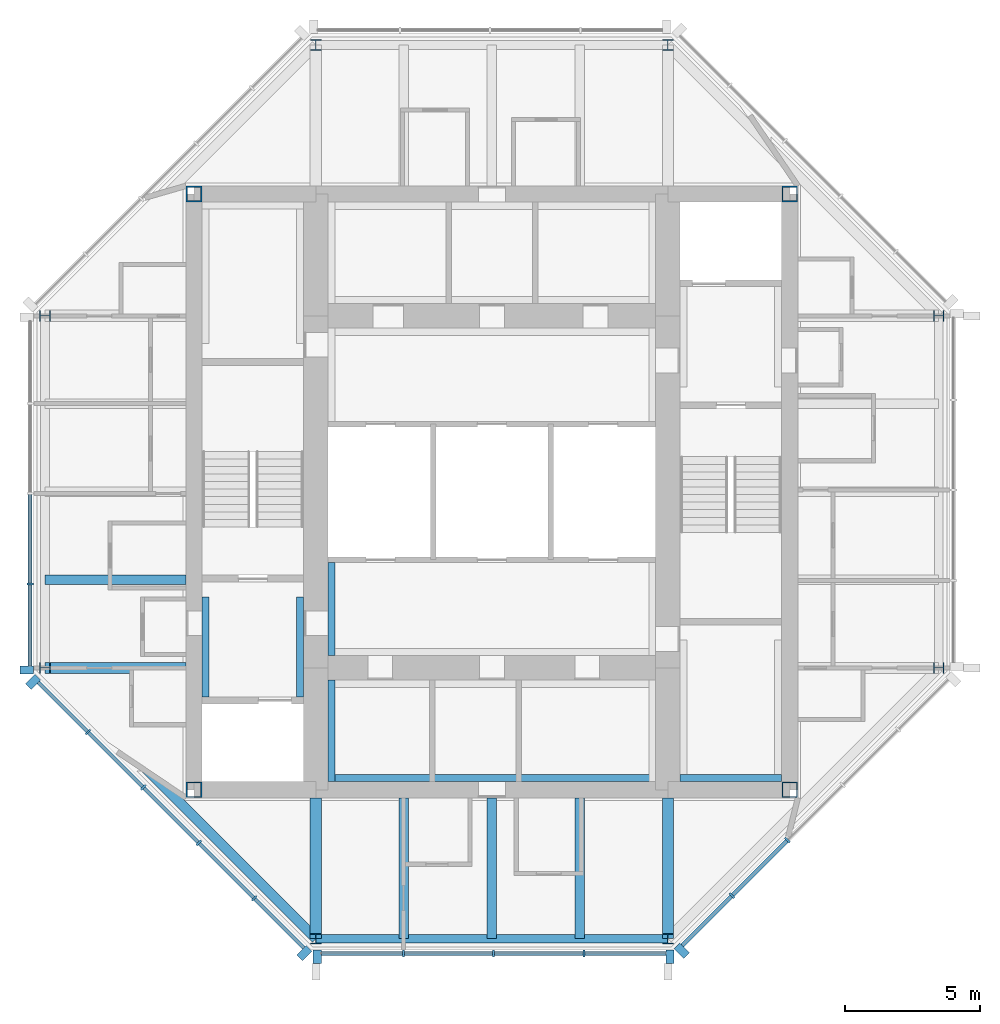
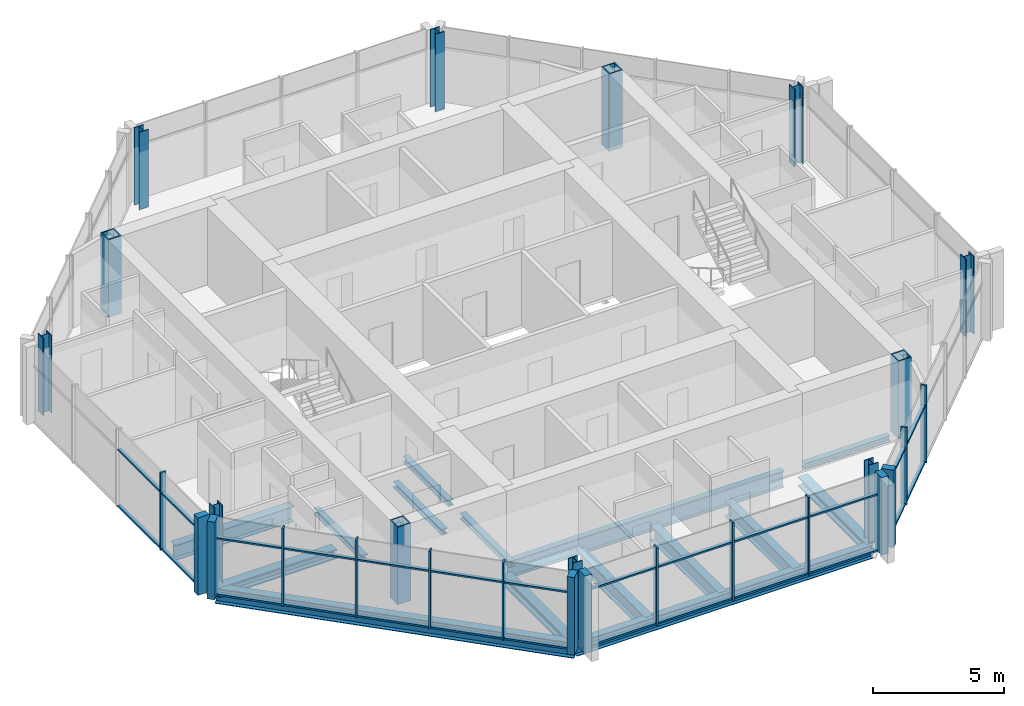
# One storey, part 1 of 9: 42 members, 15 beams, 12 columns, 4 elements without a shape of their own.
"""IFC4 building model written with IfcOpenShell, lengths in metres."""

import ifcopenshell
import ifcopenshell.guid

model = None  # the IFC model being written
_history = None  # IfcOwnerHistory: only IFC2X3 demands one
_inside = {}  # id of a spatial element -> (the spatial element, [elements in it])
_under = {}  # id of a project, library or spatial element -> (it, [spatial elements below it])
_declared = {}  # id of a project -> (the project, [libraries it declares])
_typed = {}  # id of a type object -> (the type object, [elements of that type])
_made_of = {}  # id of a material, layer set ... -> (it, [elements and type objects made of it])


def new_model(schema):
    """Start an empty IFC model of exactly this schema.

    Asked for "IFC4X3", IfcOpenShell would pick the latest addendum, in which some entities
    have other attributes; the version numbers below select the first issue.
    IFC2X3 requires an IfcOwnerHistory on every rooted entity: one is made here for all.
    """
    global model, _history
    if schema == "IFC4X3":
        model = ifcopenshell.file(schema_version=(4, 3, 0, 0))
    else:
        model = ifcopenshell.file(schema=schema)
    _inside.clear()
    _under.clear()
    _declared.clear()
    _typed.clear()
    _made_of.clear()
    _history = None
    if model.schema == "IFC2X3":
        org = make("IfcOrganization", Name="unknown")
        user = make(
            "IfcPersonAndOrganization",
            ThePerson=make("IfcPerson", FamilyName="unknown"),
            TheOrganization=org,
        )
        app = make(
            "IfcApplication",
            ApplicationDeveloper=org,
            Version="unknown",
            ApplicationFullName="unknown",
            ApplicationIdentifier="unknown",
        )
        _history = make(
            "IfcOwnerHistory",
            OwningUser=user,
            OwningApplication=app,
            ChangeAction="ADDED",
            CreationDate=0,
        )
    return model


def make(cls, **values):
    """One entity of the class cls with the attributes given. An attribute that is None is left unset."""
    return model.create_entity(
        cls, **{name: value for name, value in values.items() if value is not None}
    )


def rooted(cls, **values):
    """An entity with a GlobalId (a new one), such as an element, a storey or a relation."""
    return make(cls, GlobalId=ifcopenshell.guid.new(), OwnerHistory=_history, **values)


def si_unit(unit_type, name, prefix=None):
    """IfcSIUnit, for example si_unit("LENGTHUNIT", "METRE", prefix="MILLI")."""
    return make("IfcSIUnit", UnitType=unit_type, Prefix=prefix, Name=name)


def assignment(units):
    """IfcUnitAssignment: the units of a project."""
    return None if units is None else make("IfcUnitAssignment", Units=units)


def point(xyz):
    """IfcCartesianPoint."""
    return None if xyz is None else make("IfcCartesianPoint", Coordinates=xyz)


def direction(xyz):
    """IfcDirection."""
    return None if xyz is None else make("IfcDirection", DirectionRatios=xyz)


def frame(location, z_axis=None, x_axis=None):
    """IfcAxis2Placement3D, a coordinate frame: its origin and axes. An axis left out is left unset."""
    return make(
        "IfcAxis2Placement3D",
        Location=point(location),
        Axis=direction(z_axis),
        RefDirection=direction(x_axis),
    )


def frame_2d(location, x_axis=None):
    """IfcAxis2Placement2D, a coordinate frame in the plane: its origin and x axis."""
    return make(
        "IfcAxis2Placement2D", Location=point(location), RefDirection=direction(x_axis)
    )


def origin():
    """The frame at (0, 0, 0) with its axes left unset."""
    return frame((0.0, 0.0, 0.0))


def origin_2d():
    """The frame at (0, 0) in the plane with its x axis left unset."""
    return frame_2d((0.0, 0.0))


def place(relative_to, where):
    """IfcLocalPlacement: puts the frame where relative to a parent placement (None: the world)."""
    return make(
        "IfcLocalPlacement", PlacementRelTo=relative_to, RelativePlacement=where
    )


def context(
    kind, dimensions, precision=None, world=None, true_north=None, identifier=None
):
    """IfcGeometricRepresentationContext, for example the 3D "Model" context."""
    return make(
        "IfcGeometricRepresentationContext",
        ContextIdentifier=identifier,
        ContextType=kind,
        CoordinateSpaceDimension=dimensions,
        Precision=precision,
        WorldCoordinateSystem=world,
        TrueNorth=true_north,
    )


def subcontext(parent, identifier, kind, view, scale=None):
    """IfcGeometricRepresentationSubContext, for example "Body" below "Model"."""
    return make(
        "IfcGeometricRepresentationSubContext",
        ContextIdentifier=identifier,
        ContextType=kind,
        ParentContext=parent,
        TargetScale=scale,
        TargetView=view,
    )


def project(units=None, contexts=None):
    """IfcProject with its units and contexts."""
    return rooted(
        "IfcProject",
        Name="project",
        RepresentationContexts=contexts,
        UnitsInContext=assignment(units),
    )


def spatial(cls, under=None, at=None, **own):
    """A site, building, storey or space (cls), placed at a placement, below another one or the project."""
    s = rooted(cls, ObjectPlacement=at, **own)
    if under is not None:
        _under.setdefault(under.id(), (under, []))[1].append(s)
    return s


def profile(cls, at=None, kind="AREA", **sizes):
    """A parametric profile (cls). Its sizes go by their IFC names, for example OverallWidth=200.0."""
    return make(cls, ProfileType=kind, Position=at, **sizes)


def rectangle(**sizes):
    """IfcRectangleProfileDef."""
    return profile("IfcRectangleProfileDef", **sizes)


def hollow_rectangle(**sizes):
    """IfcRectangleHollowProfileDef."""
    return profile("IfcRectangleHollowProfileDef", **sizes)


def i_section(**sizes):
    """IfcIShapeProfileDef."""
    return profile("IfcIShapeProfileDef", **sizes)


def extrude(swept, where, along, depth):
    """IfcExtrudedAreaSolid: the profile swept, set in the frame where, extruded along a direction by depth."""
    return make(
        "IfcExtrudedAreaSolid",
        SweptArea=swept,
        Position=where,
        ExtrudedDirection=direction(along),
        Depth=depth,
    )


def shape(context_of_items, identifier, shape_type, items):
    """IfcShapeRepresentation: the items that make up one representation, for example the "Body"."""
    return make(
        "IfcShapeRepresentation",
        ContextOfItems=context_of_items,
        RepresentationIdentifier=identifier,
        RepresentationType=shape_type,
        Items=items,
    )


def material(Name=None, Category=None):
    """IfcMaterial."""
    return make("IfcMaterial", Name=Name, Category=Category)


def material_profile(
    of_material, cross_section, Name=None, Category=None, Priority=None
):
    """IfcMaterialProfile: a cross section and its material."""
    return make(
        "IfcMaterialProfile",
        Name=Name,
        Material=of_material,
        Profile=cross_section,
        Priority=Priority,
        Category=Category,
    )


def profile_set(profiles, Name=None, composite=None):
    """IfcMaterialProfileSet."""
    return make(
        "IfcMaterialProfileSet",
        Name=Name,
        MaterialProfiles=profiles,
        CompositeProfile=composite,
    )


def made_of(thing, what):
    """Note that an element or type object is made of a material, layer set ...; save() writes the relation."""
    if what is not None:
        _made_of.setdefault(what.id(), (what, []))[1].append(thing)
    return thing


def type_object(cls, material=None, **own):
    """A type object (cls), such as IfcWallType, which elements share."""
    return made_of(rooted(cls, **own), material)


def element(
    cls,
    number,
    at=None,
    inside=None,
    cuts=None,
    type_object=None,
    material=None,
    context=None,
    identifier="Body",
    shape_type=None,
    held_by="IfcProductDefinitionShape",
    body=None,
    shapes=None,
    **own,
):
    """One element of the class cls, such as IfcWall. Its Tag is "e" and its number.

    at: its placement. inside: the storey or other place that contains it. cuts: it is an
    opening in that element (IfcRelVoidsElement). A single representation is given by context,
    identifier, shape_type and body (its items); several are given by shapes. held_by: the class
    of the entity that holds the representations. save() writes the other relations.
    """
    e = rooted(cls, Tag="e%d" % number, ObjectPlacement=at, **own)
    if body is not None:
        shapes = [shape(context, identifier, shape_type, body)]
    if shapes is not None:
        e.Representation = make(held_by, Representations=shapes)
    if inside is not None:
        _inside.setdefault(inside.id(), (inside, []))[1].append(e)
    if cuts is not None:
        rooted(
            "IfcRelVoidsElement", RelatingBuildingElement=cuts, RelatedOpeningElement=e
        )
    if type_object is not None:
        _typed.setdefault(type_object.id(), (type_object, []))[1].append(e)
    return made_of(e, material)


def aggregate(whole, parts):
    """IfcRelAggregates: a whole, such as a stair, and the parts it consists of."""
    return rooted("IfcRelAggregates", RelatingObject=whole, RelatedObjects=parts)


def save(model, path):
    """Write the relations noted so far, then the file.

    IfcRelAggregates (storeys below a building ...), IfcRelContainedInSpatialStructure (elements
    in a storey), IfcRelDefinesByType, IfcRelAssociatesMaterial and IfcRelDeclares: one each for
    every whole, place, type object, material and project.
    """
    for whole, parts in _under.values():
        aggregate(whole, parts)
    for where, things in _inside.values():
        rooted(
            "IfcRelContainedInSpatialStructure",
            RelatedElements=things,
            RelatingStructure=where,
        )
    for kind, things in _typed.values():
        rooted("IfcRelDefinesByType", RelatedObjects=things, RelatingType=kind)
    for what, things in _made_of.values():
        rooted("IfcRelAssociatesMaterial", RelatedObjects=things, RelatingMaterial=what)
    for by, libraries in _declared.values():
        rooted("IfcRelDeclares", RelatingContext=by, RelatedDefinitions=libraries)
    model.write(path)


model = new_model("IFC4")

# Units and contexts
model_context = context("Model", 3, precision=1e-05, world=origin(), true_north=direction((0.0, 1.0)))
body_context = subcontext(model_context, "Body", "Model", "MODEL_VIEW")
ifc_project = project(units=[si_unit("LENGTHUNIT", "METRE"), si_unit("AREAUNIT", "SQUARE_METRE"), si_unit("VOLUMEUNIT", "CUBIC_METRE"), si_unit("PLANEANGLEUNIT", "RADIAN"), si_unit("MASSUNIT", "GRAM", prefix="KILO")], contexts=[model_context])

# Site, building, storey
site_placement = place(None, origin())
site = spatial("IfcSite", under=ifc_project, at=site_placement, CompositionType="ELEMENT")
building_placement = place(site_placement, origin())
building = spatial("IfcBuilding", under=site, at=building_placement, Name="Trevanion Tower", CompositionType="ELEMENT")
storey_placement = place(building_placement, frame((0.0, 0.0, 295.60009765625)))
storey = spatial("IfcBuildingStorey", under=building, at=storey_placement, Name="L73", CompositionType="ELEMENT", Elevation=295.60009765625)

# Columns
ifc_material_1 = material(Name="Steel ASTM A913 Grade 65", Category="steel")
ifc_material_profile_1 = material_profile(ifc_material_1, i_section(OverallWidth=0.4013671875, OverallDepth=0.398681640625, WebThickness=0.02490234375, FlangeThickness=0.03955078125, at=origin_2d()), Name="W14X211")
ifc_profile_set_1 = profile_set([ifc_material_profile_1], Name="Steel ASTM A913 Grade 65")
column_type_1 = type_object("IfcColumnType", Name="C6 W14X211", PredefinedType="COLUMN", material=ifc_profile_set_1)
for number, where, z_axis, x_axis, name in (
    (1, (-16.5, -6.5, 0.0), (0.0, 0.0, 1.0), (0.0, 1.0, 0.0), "C6 7/G L73"),
    (2, (-6.5, -16.5, 0.0), (0.0, 0.0, 1.0), (1.0, 0.0, 0.0), "C6 9/E L73"),
    (3, (6.5, -16.5, 0.0), (0.0, 0.0, 1.0), (1.0, 0.0, 0.0), "C6 11/E L73"),
    (4, (16.5, -6.5, 0.0), (0.0, 0.0, 1.0), (0.0, 1.0, 0.0), "C6 13/G L73"),
    (5, (16.5, 6.5, 0.0), (0.0, 0.0, 1.0), (0.0, 1.0, 0.0), "C6 13/J L73"),
    (6, (6.5, 16.5, 0.0), (0.0, 0.0, 1.0), (1.0, 0.0, 0.0), "C6 11/L L73"),
    (7, (-6.5, 16.5, 0.0), (0.0, 0.0, 1.0), (1.0, 0.0, 0.0), "C6 9/L L73"),
    (8, (-16.5, 6.5, 0.0), (0.0, 0.0, 1.0), (0.0, 1.0, 0.0), "C6 7/J L73"),
):
    element("IfcColumn", number, at=place(storey_placement, frame(where, z_axis=z_axis, x_axis=x_axis)), inside=storey, type_object=column_type_1, Name=name, PredefinedType="COLUMN", context=body_context, shape_type="SweptSolid", body=[
        extrude(i_section(OverallWidth=0.4013671875, OverallDepth=0.398681640625, WebThickness=0.02490234375, FlangeThickness=0.03955078125, at=origin_2d()), origin(), (0.0, 0.0, 1.0), 3.599853515625),
    ])
ifc_material_2 = material(Name="Steel ASTM A572 Grade 50", Category="steel")
ifc_material_profile_2 = material_profile(ifc_material_2, hollow_rectangle(XDim=0.584228515625, YDim=0.584228515625, WallThickness=0.05078125, at=origin_2d()), Name="BOX23X23X2")
ifc_profile_set_2 = profile_set([ifc_material_profile_2], Name="Steel ASTM A572 Grade 50")
column_type_2 = type_object("IfcColumnType", Name="CB1 BOX23X23X2", PredefinedType="COLUMN", material=ifc_profile_set_2)
for number, where, z_axis, x_axis, name in (
    (9, (11.0, 11.0, 0.0), (0.0, 0.0, 1.0), (1.0, 0.0, 0.0), "CB1 NE L73"),
    (10, (-11.0, 11.0, 0.0), (0.0, 0.0, 1.0), (1.0, 0.0, 0.0), "CB1 NW L73"),
    (11, (-11.0, -11.0, 0.0), (0.0, 0.0, 1.0), (1.0, 0.0, 0.0), "CB1 SW L73"),
    (12, (11.0, -11.0, 0.0), (0.0, 0.0, 1.0), (1.0, 0.0, 0.0), "CB1 SE L73"),
):
    element("IfcColumn", number, at=place(storey_placement, frame(where, z_axis=z_axis, x_axis=x_axis)), inside=storey, type_object=column_type_2, Name=name, PredefinedType="COLUMN", context=body_context, shape_type="SweptSolid", body=[
        extrude(hollow_rectangle(XDim=0.584228515625, YDim=0.584228515625, WallThickness=0.05078125, at=origin_2d()), origin(), (0.0, 0.0, 1.0), 3.599853515625),
    ])

# Beams
ifc_material_3 = material(Name="Steel ASTM A992 Grade 50", Category="steel")
ifc_material_profile_3 = material_profile(ifc_material_3, i_section(OverallWidth=0.355712890625, OverallDepth=0.700927734375, WebThickness=0.016845703125, FlangeThickness=0.02734375, at=origin_2d()), Name="W27X161")
ifc_profile_set_3 = profile_set([ifc_material_profile_3], Name="Steel ASTM A992 Grade 50")
beam_type_1 = type_object("IfcBeamType", Name="B15 W27X161", PredefinedType="BEAM", material=ifc_profile_set_3)
for number, where, z_axis, x_axis, name in (
    (13, (-11.300048828125, -3.25, -0.54052734375), (-1.0, 0.0, 0.0), (0.0, -1.0, 0.0), "B15 L73"),
    (14, (-3.25, -11.300048828125, -0.54052734375), (0.0, -1.0, 0.0), (1.0, 0.0, 0.0), "B15 L73"),
    (15, (0.0, -11.300048828125, -0.54052734375), (0.0, -1.0, 0.0), (1.0, 0.0, 0.0), "B15 L73"),
    (16, (3.25, -11.300048828125, -0.54052734375), (0.0, -1.0, 0.0), (1.0, 0.0, 0.0), "B15 L73"),
):
    element("IfcBeam", number, at=place(storey_placement, frame(where, z_axis=z_axis, x_axis=x_axis)), inside=storey, type_object=beam_type_1, Name=name, PredefinedType="BEAM", context=body_context, shape_type="SweptSolid", body=[
        extrude(i_section(OverallWidth=0.355712890625, OverallDepth=0.700927734375, WebThickness=0.016845703125, FlangeThickness=0.02734375, at=origin_2d()), origin(), (0.0, 0.0, 1.0), 5.199951171875),
    ])

# Curtain wall, member
ifc_material_4 = material(Name="Aluminium and glass", Category="aluminium")
curtain_wall_type = type_object("IfcCurtainWallType", Name="CW4 curtain wall", PredefinedType="USERDEFINED", material=ifc_material_4)
curtain_wall_1_placement = place(storey_placement, origin())
curtain_wall_1 = element("IfcCurtainWall", 17, at=curtain_wall_1_placement, inside=storey, type_object=curtain_wall_type, Name="CW4 L73 4", ObjectType="UNITISED CURTAIN WALL", PredefinedType="USERDEFINED")
ifc_material_5 = material(Name="Aluminium extrusion, anodised bronze", Category="aluminium")
ifc_material_profile_4 = material_profile(ifc_material_5, rectangle(XDim=0.074951171875, YDim=0.25, at=origin_2d()), Name="CW4 mullion")
ifc_profile_set_4 = profile_set([ifc_material_profile_4], Name="Aluminium extrusion, anodised bronze")
member_type_1 = type_object("IfcMemberType", Name="CW4 mullion", PredefinedType="MULLION", material=ifc_profile_set_4)
member_1_placement = place(storey_placement, frame((-17.050048828125, -3.396484375, -0.190185546875), z_axis=(0.0, 0.0, 1.0), x_axis=(0.0, -1.0, 0.0)))
member_1 = element("IfcMember", 18, at=member_1_placement, type_object=member_type_1, Name="CW4 mullion 4", PredefinedType="MULLION", context=body_context, shape_type="SweptSolid", body=[
    extrude(rectangle(XDim=0.074951171875, YDim=0.25, at=origin_2d()), origin(), (0.0, 0.0, 1.0), 3.60009765625),
])

# Curtain wall, members
curtain_wall_2_placement = place(storey_placement, origin())
curtain_wall_2 = element("IfcCurtainWall", 19, at=curtain_wall_2_placement, inside=storey, type_object=curtain_wall_type, Name="CW4 L73 5", ObjectType="UNITISED CURTAIN WALL", PredefinedType="USERDEFINED")
member_2_placement = place(storey_placement, frame((-14.912109375, -8.86572265625, -0.190185546875), z_axis=(0.0, 0.0, 1.0), x_axis=(0.707106781187, -0.707106781187, 0.0)))
member_2 = element("IfcMember", 20, at=member_2_placement, type_object=member_type_1, Name="CW4 mullion 2", PredefinedType="MULLION", context=body_context, shape_type="SweptSolid", body=[
    extrude(rectangle(XDim=0.074951171875, YDim=0.25, at=origin_2d()), origin(), (0.0, 0.0, 1.0), 3.60009765625),
])
member_3_placement = place(storey_placement, frame((-12.865966796875, -10.911865234375, -0.190185546875), z_axis=(0.0, 0.0, 1.0), x_axis=(0.707106781187, -0.707106781187, 0.0)))
member_3 = element("IfcMember", 21, at=member_3_placement, type_object=member_type_1, Name="CW4 mullion 3", PredefinedType="MULLION", context=body_context, shape_type="SweptSolid", body=[
    extrude(rectangle(XDim=0.074951171875, YDim=0.25, at=origin_2d()), origin(), (0.0, 0.0, 1.0), 3.60009765625),
])
member_4_placement = place(storey_placement, frame((-10.81982421875, -12.9580078125, -0.190185546875), z_axis=(0.0, 0.0, 1.0), x_axis=(0.707106781187, -0.707106781187, 0.0)))
member_4 = element("IfcMember", 22, at=member_4_placement, type_object=member_type_1, Name="CW4 mullion 4", PredefinedType="MULLION", context=body_context, shape_type="SweptSolid", body=[
    extrude(rectangle(XDim=0.074951171875, YDim=0.25, at=origin_2d()), origin(), (0.0, 0.0, 1.0), 3.60009765625),
])
member_5_placement = place(storey_placement, frame((-8.77392578125, -15.00390625, -0.190185546875), z_axis=(0.0, 0.0, 1.0), x_axis=(0.707106781187, -0.707106781187, 0.0)))
member_5 = element("IfcMember", 23, at=member_5_placement, type_object=member_type_1, Name="CW4 mullion 5", PredefinedType="MULLION", context=body_context, shape_type="SweptSolid", body=[
    extrude(rectangle(XDim=0.074951171875, YDim=0.25, at=origin_2d()), origin(), (0.0, 0.0, 1.0), 3.60009765625),
])

curtain_wall_3_placement = place(storey_placement, origin())
curtain_wall_3 = element("IfcCurtainWall", 24, at=curtain_wall_3_placement, inside=storey, type_object=curtain_wall_type, Name="CW4 L73 6", ObjectType="UNITISED CURTAIN WALL", PredefinedType="USERDEFINED")
member_6_placement = place(storey_placement, frame((-3.266357421875, -17.050048828125, -0.190185546875), z_axis=(0.0, 0.0, 1.0), x_axis=(1.0, 0.0, 0.0)))
member_6 = element("IfcMember", 25, at=member_6_placement, type_object=member_type_1, Name="CW4 mullion 2", PredefinedType="MULLION", context=body_context, shape_type="SweptSolid", body=[
    extrude(rectangle(XDim=0.074951171875, YDim=0.25, at=origin_2d()), origin(), (0.0, 0.0, 1.0), 3.60009765625),
])
member_7_placement = place(storey_placement, frame((0.06494140625, -17.050048828125, -0.190185546875), z_axis=(0.0, 0.0, 1.0), x_axis=(1.0, 0.0, 0.0)))
member_7 = element("IfcMember", 26, at=member_7_placement, type_object=member_type_1, Name="CW4 mullion 3", PredefinedType="MULLION", context=body_context, shape_type="SweptSolid", body=[
    extrude(rectangle(XDim=0.074951171875, YDim=0.25, at=origin_2d()), origin(), (0.0, 0.0, 1.0), 3.60009765625),
])
member_8_placement = place(storey_placement, frame((3.396484375, -17.050048828125, -0.190185546875), z_axis=(0.0, 0.0, 1.0), x_axis=(1.0, 0.0, 0.0)))
member_8 = element("IfcMember", 27, at=member_8_placement, type_object=member_type_1, Name="CW4 mullion 4", PredefinedType="MULLION", context=body_context, shape_type="SweptSolid", body=[
    extrude(rectangle(XDim=0.074951171875, YDim=0.25, at=origin_2d()), origin(), (0.0, 0.0, 1.0), 3.60009765625),
])

curtain_wall_4_placement = place(storey_placement, origin())
curtain_wall_4 = element("IfcCurtainWall", 28, at=curtain_wall_4_placement, inside=storey, type_object=curtain_wall_type, Name="CW4 L73 7", ObjectType="UNITISED CURTAIN WALL", PredefinedType="USERDEFINED")
member_9_placement = place(storey_placement, frame((8.86572265625, -14.912109375, -0.190185546875), z_axis=(0.0, 0.0, 1.0), x_axis=(0.707106781187, 0.707106781187, 0.0)))
member_9 = element("IfcMember", 29, at=member_9_placement, type_object=member_type_1, Name="CW4 mullion 2", PredefinedType="MULLION", context=body_context, shape_type="SweptSolid", body=[
    extrude(rectangle(XDim=0.074951171875, YDim=0.25, at=origin_2d()), origin(), (0.0, 0.0, 1.0), 3.60009765625),
])
member_10_placement = place(storey_placement, frame((10.911865234375, -12.865966796875, -0.190185546875), z_axis=(0.0, 0.0, 1.0), x_axis=(0.707106781187, 0.707106781187, 0.0)))
member_10 = element("IfcMember", 30, at=member_10_placement, type_object=member_type_1, Name="CW4 mullion 3", PredefinedType="MULLION", context=body_context, shape_type="SweptSolid", body=[
    extrude(rectangle(XDim=0.074951171875, YDim=0.25, at=origin_2d()), origin(), (0.0, 0.0, 1.0), 3.60009765625),
])

# Member
ifc_material_6 = material(Name="Aluminium extrusion, anodised bronze", Category="aluminium")
ifc_material_profile_5 = material_profile(ifc_material_6, rectangle(XDim=0.300048828125, YDim=0.5, at=origin_2d()), Name="CW4 pier mullion")
ifc_profile_set_5 = profile_set([ifc_material_profile_5], Name="Aluminium extrusion, anodised bronze")
member_type_2 = type_object("IfcMemberType", Name="CW4 pier mullion", PredefinedType="MULLION", material=ifc_profile_set_5)
member_11_placement = place(storey_placement, frame((-17.175048828125, -6.577880859375, -0.190185546875), z_axis=(0.0, 0.0, 1.0), x_axis=(0.0, -1.0, 0.0)))
member_11 = element("IfcMember", 31, at=member_11_placement, type_object=member_type_2, Name="CW4 pier mullion 5", PredefinedType="MULLION", context=body_context, shape_type="SweptSolid", body=[
    extrude(rectangle(XDim=0.300048828125, YDim=0.5, at=origin_2d()), origin(), (0.0, 0.0, 1.0), 3.60009765625),
])

member_12_placement = place(storey_placement, frame((-16.9404296875, -7.01416015625, -0.190185546875), z_axis=(0.0, 0.0, 1.0), x_axis=(0.707106781187, -0.707106781187, 0.0)))
member_12 = element("IfcMember", 32, at=member_12_placement, type_object=member_type_2, Name="CW4 pier mullion 1", PredefinedType="MULLION", context=body_context, shape_type="SweptSolid", body=[
    extrude(rectangle(XDim=0.300048828125, YDim=0.5, at=origin_2d()), origin(), (0.0, 0.0, 1.0), 3.60009765625),
])

member_13_placement = place(storey_placement, frame((-6.92236328125, -17.0322265625, -0.190185546875), z_axis=(0.0, 0.0, 1.0), x_axis=(0.707106781187, -0.707106781187, 0.0)))
member_13 = element("IfcMember", 33, at=member_13_placement, type_object=member_type_2, Name="CW4 pier mullion 6", PredefinedType="MULLION", context=body_context, shape_type="SweptSolid", body=[
    extrude(rectangle(XDim=0.300048828125, YDim=0.5, at=origin_2d()), origin(), (0.0, 0.0, 1.0), 3.60009765625),
])

member_14_placement = place(storey_placement, frame((-6.44775390625, -17.175048828125, -0.190185546875), z_axis=(0.0, 0.0, 1.0), x_axis=(1.0, 0.0, 0.0)))
member_14 = element("IfcMember", 34, at=member_14_placement, type_object=member_type_2, Name="CW4 pier mullion 1", PredefinedType="MULLION", context=body_context, shape_type="SweptSolid", body=[
    extrude(rectangle(XDim=0.300048828125, YDim=0.5, at=origin_2d()), origin(), (0.0, 0.0, 1.0), 3.60009765625),
])

member_15_placement = place(storey_placement, frame((6.577880859375, -17.175048828125, -0.190185546875), z_axis=(0.0, 0.0, 1.0), x_axis=(1.0, 0.0, 0.0)))
member_15 = element("IfcMember", 35, at=member_15_placement, type_object=member_type_2, Name="CW4 pier mullion 5", PredefinedType="MULLION", context=body_context, shape_type="SweptSolid", body=[
    extrude(rectangle(XDim=0.300048828125, YDim=0.5, at=origin_2d()), origin(), (0.0, 0.0, 1.0), 3.60009765625),
])

member_16_placement = place(storey_placement, frame((7.01416015625, -16.9404296875, -0.190185546875), z_axis=(0.0, 0.0, 1.0), x_axis=(0.707106781187, 0.707106781187, 0.0)))
member_16 = element("IfcMember", 36, at=member_16_placement, type_object=member_type_2, Name="CW4 pier mullion 1", PredefinedType="MULLION", context=body_context, shape_type="SweptSolid", body=[
    extrude(rectangle(XDim=0.300048828125, YDim=0.5, at=origin_2d()), origin(), (0.0, 0.0, 1.0), 3.60009765625),
])

ifc_material_7 = material(Name="Aluminium extrusion, anodised bronze", Category="aluminium")
ifc_material_profile_6 = material_profile(ifc_material_7, rectangle(XDim=0.14990234375, YDim=0.074951171875, at=origin_2d()), Name="CW4 transom")
ifc_profile_set_6 = profile_set([ifc_material_profile_6], Name="Aluminium extrusion, anodised bronze")
member_type_3 = type_object("IfcMemberType", Name="CW4 transom", PredefinedType="USERDEFINED", material=ifc_profile_set_6)
member_17_placement = place(storey_placement, frame((-17.050048828125, -0.1025390625, -0.152587890625), z_axis=(0.0, -1.0, 0.0), x_axis=(1.0, 0.0, 0.0)))
member_17 = element("IfcMember", 37, at=member_17_placement, type_object=member_type_3, Name="CW4 transom 3.1", ObjectType="TRANSOM", PredefinedType="USERDEFINED", context=body_context, shape_type="SweptSolid", body=[
    extrude(rectangle(XDim=0.14990234375, YDim=0.074951171875, at=origin_2d()), origin(), (0.0, 0.0, 1.0), 3.25634765625),
])

member_18_placement = place(storey_placement, frame((-17.050048828125, -0.1025390625, 2.4599609375), z_axis=(0.0, -1.0, 0.0), x_axis=(1.0, 0.0, 0.0)))
member_18 = element("IfcMember", 38, at=member_18_placement, type_object=member_type_3, Name="CW4 transom 3.2", ObjectType="TRANSOM", PredefinedType="USERDEFINED", context=body_context, shape_type="SweptSolid", body=[
    extrude(rectangle(XDim=0.14990234375, YDim=0.074951171875, at=origin_2d()), origin(), (0.0, 0.0, 1.0), 3.25634765625),
])

member_19_placement = place(storey_placement, frame((-17.050048828125, -3.433837890625, -0.152587890625), z_axis=(0.0, -1.0, 0.0), x_axis=(1.0, 0.0, 0.0)))
member_19 = element("IfcMember", 39, at=member_19_placement, type_object=member_type_3, Name="CW4 transom 4.1", ObjectType="TRANSOM", PredefinedType="USERDEFINED", context=body_context, shape_type="SweptSolid", body=[
    extrude(rectangle(XDim=0.14990234375, YDim=0.074951171875, at=origin_2d()), origin(), (0.0, 0.0, 1.0), 2.993896484375),
])

member_20_placement = place(storey_placement, frame((-17.050048828125, -3.433837890625, 2.4599609375), z_axis=(0.0, -1.0, 0.0), x_axis=(1.0, 0.0, 0.0)))
member_20 = element("IfcMember", 40, at=member_20_placement, type_object=member_type_3, Name="CW4 transom 4.2", ObjectType="TRANSOM", PredefinedType="USERDEFINED", context=body_context, shape_type="SweptSolid", body=[
    extrude(rectangle(XDim=0.14990234375, YDim=0.074951171875, at=origin_2d()), origin(), (0.0, 0.0, 1.0), 2.993896484375),
])

aggregate(curtain_wall_1, [member_1, member_11, member_17, member_18, member_19, member_20])

member_21_placement = place(storey_placement, frame((-16.745849609375, -7.031982421875, -0.152587890625), z_axis=(0.707106781187, -0.707106781187, 0.0), x_axis=(0.707106781187, 0.707106781187, 0.0)))
member_21 = element("IfcMember", 41, at=member_21_placement, type_object=member_type_3, Name="CW4 transom 1.1", ObjectType="TRANSOM", PredefinedType="USERDEFINED", context=body_context, shape_type="SweptSolid", body=[
    extrude(rectangle(XDim=0.14990234375, YDim=0.074951171875, at=origin_2d()), origin(), (0.0, 0.0, 1.0), 2.555908203125),
])

member_22_placement = place(storey_placement, frame((-16.745849609375, -7.031982421875, 2.4599609375), z_axis=(0.707106781187, -0.707106781187, 0.0), x_axis=(0.707106781187, 0.707106781187, 0.0)))
member_22 = element("IfcMember", 42, at=member_22_placement, type_object=member_type_3, Name="CW4 transom 1.2", ObjectType="TRANSOM", PredefinedType="USERDEFINED", context=body_context, shape_type="SweptSolid", body=[
    extrude(rectangle(XDim=0.14990234375, YDim=0.074951171875, at=origin_2d()), origin(), (0.0, 0.0, 1.0), 2.555908203125),
])

member_23_placement = place(storey_placement, frame((-14.885498046875, -8.892333984375, -0.152587890625), z_axis=(0.707106781187, -0.707106781187, 0.0), x_axis=(0.707106781187, 0.707106781187, 0.0)))
member_23 = element("IfcMember", 43, at=member_23_placement, type_object=member_type_3, Name="CW4 transom 2.1", ObjectType="TRANSOM", PredefinedType="USERDEFINED", context=body_context, shape_type="SweptSolid", body=[
    extrude(rectangle(XDim=0.14990234375, YDim=0.074951171875, at=origin_2d()), origin(), (0.0, 0.0, 1.0), 2.818359375),
])

member_24_placement = place(storey_placement, frame((-14.885498046875, -8.892333984375, 2.4599609375), z_axis=(0.707106781187, -0.707106781187, 0.0), x_axis=(0.707106781187, 0.707106781187, 0.0)))
member_24 = element("IfcMember", 44, at=member_24_placement, type_object=member_type_3, Name="CW4 transom 2.2", ObjectType="TRANSOM", PredefinedType="USERDEFINED", context=body_context, shape_type="SweptSolid", body=[
    extrude(rectangle(XDim=0.14990234375, YDim=0.074951171875, at=origin_2d()), origin(), (0.0, 0.0, 1.0), 2.818359375),
])

member_25_placement = place(storey_placement, frame((-12.839599609375, -10.9384765625, -0.152587890625), z_axis=(0.707150088905, -0.707063470815, 0.0), x_axis=(0.707063470815, 0.707150088905, 0.0)))
member_25 = element("IfcMember", 45, at=member_25_placement, type_object=member_type_3, Name="CW4 transom 3.1", ObjectType="TRANSOM", PredefinedType="USERDEFINED", context=body_context, shape_type="SweptSolid", body=[
    extrude(rectangle(XDim=0.14990234375, YDim=0.074951171875, at=origin_2d()), origin(), (0.0, 0.0, 1.0), 2.818603515625),
])

member_26_placement = place(storey_placement, frame((-12.839599609375, -10.9384765625, 2.4599609375), z_axis=(0.707150088905, -0.707063470815, 0.0), x_axis=(0.707063470815, 0.707150088905, 0.0)))
member_26 = element("IfcMember", 46, at=member_26_placement, type_object=member_type_3, Name="CW4 transom 3.2", ObjectType="TRANSOM", PredefinedType="USERDEFINED", context=body_context, shape_type="SweptSolid", body=[
    extrude(rectangle(XDim=0.14990234375, YDim=0.074951171875, at=origin_2d()), origin(), (0.0, 0.0, 1.0), 2.818603515625),
])

member_27_placement = place(storey_placement, frame((-10.79345703125, -12.984375, -0.152587890625), z_axis=(0.707150088905, -0.707063470815, 0.0), x_axis=(0.707063470815, 0.707150088905, 0.0)))
member_27 = element("IfcMember", 47, at=member_27_placement, type_object=member_type_3, Name="CW4 transom 4.1", ObjectType="TRANSOM", PredefinedType="USERDEFINED", context=body_context, shape_type="SweptSolid", body=[
    extrude(rectangle(XDim=0.14990234375, YDim=0.074951171875, at=origin_2d()), origin(), (0.0, 0.0, 1.0), 2.818603515625),
])

member_28_placement = place(storey_placement, frame((-10.79345703125, -12.984375, 2.4599609375), z_axis=(0.707150088905, -0.707063470815, 0.0), x_axis=(0.707063470815, 0.707150088905, 0.0)))
member_28 = element("IfcMember", 48, at=member_28_placement, type_object=member_type_3, Name="CW4 transom 4.2", ObjectType="TRANSOM", PredefinedType="USERDEFINED", context=body_context, shape_type="SweptSolid", body=[
    extrude(rectangle(XDim=0.14990234375, YDim=0.074951171875, at=origin_2d()), origin(), (0.0, 0.0, 1.0), 2.818603515625),
])

member_29_placement = place(storey_placement, frame((-8.747314453125, -15.030517578125, -0.152587890625), z_axis=(0.707106781187, -0.707106781187, 0.0), x_axis=(0.707106781187, 0.707106781187, 0.0)))
member_29 = element("IfcMember", 49, at=member_29_placement, type_object=member_type_3, Name="CW4 transom 5.1", ObjectType="TRANSOM", PredefinedType="USERDEFINED", context=body_context, shape_type="SweptSolid", body=[
    extrude(rectangle(XDim=0.14990234375, YDim=0.074951171875, at=origin_2d()), origin(), (0.0, 0.0, 1.0), 2.555908203125),
])

member_30_placement = place(storey_placement, frame((-8.747314453125, -15.030517578125, 2.4599609375), z_axis=(0.707106781187, -0.707106781187, 0.0), x_axis=(0.707106781187, 0.707106781187, 0.0)))
member_30 = element("IfcMember", 50, at=member_30_placement, type_object=member_type_3, Name="CW4 transom 5.2", ObjectType="TRANSOM", PredefinedType="USERDEFINED", context=body_context, shape_type="SweptSolid", body=[
    extrude(rectangle(XDim=0.14990234375, YDim=0.074951171875, at=origin_2d()), origin(), (0.0, 0.0, 1.0), 2.555908203125),
])

aggregate(curtain_wall_2, [member_12, member_2, member_3, member_4, member_5, member_13, member_21, member_22, member_23, member_24, member_25, member_26, member_27, member_28, member_29, member_30])

member_31_placement = place(storey_placement, frame((-6.2978515625, -17.050048828125, -0.152587890625), z_axis=(1.0, 0.0, 0.0), x_axis=(0.0, 1.0, 0.0)))
member_31 = element("IfcMember", 51, at=member_31_placement, type_object=member_type_3, Name="CW4 transom 1.1", ObjectType="TRANSOM", PredefinedType="USERDEFINED", context=body_context, shape_type="SweptSolid", body=[
    extrude(rectangle(XDim=0.14990234375, YDim=0.074951171875, at=origin_2d()), origin(), (0.0, 0.0, 1.0), 2.993896484375),
])

member_32_placement = place(storey_placement, frame((-6.2978515625, -17.050048828125, 2.4599609375), z_axis=(1.0, 0.0, 0.0), x_axis=(0.0, 1.0, 0.0)))
member_32 = element("IfcMember", 52, at=member_32_placement, type_object=member_type_3, Name="CW4 transom 1.2", ObjectType="TRANSOM", PredefinedType="USERDEFINED", context=body_context, shape_type="SweptSolid", body=[
    extrude(rectangle(XDim=0.14990234375, YDim=0.074951171875, at=origin_2d()), origin(), (0.0, 0.0, 1.0), 2.993896484375),
])

member_33_placement = place(storey_placement, frame((-3.22900390625, -17.050048828125, -0.152587890625), z_axis=(1.0, 0.0, 0.0), x_axis=(0.0, 1.0, 0.0)))
member_33 = element("IfcMember", 53, at=member_33_placement, type_object=member_type_3, Name="CW4 transom 2.1", ObjectType="TRANSOM", PredefinedType="USERDEFINED", context=body_context, shape_type="SweptSolid", body=[
    extrude(rectangle(XDim=0.14990234375, YDim=0.074951171875, at=origin_2d()), origin(), (0.0, 0.0, 1.0), 3.256591796875),
])

member_34_placement = place(storey_placement, frame((-3.22900390625, -17.050048828125, 2.4599609375), z_axis=(1.0, 0.0, 0.0), x_axis=(0.0, 1.0, 0.0)))
member_34 = element("IfcMember", 54, at=member_34_placement, type_object=member_type_3, Name="CW4 transom 2.2", ObjectType="TRANSOM", PredefinedType="USERDEFINED", context=body_context, shape_type="SweptSolid", body=[
    extrude(rectangle(XDim=0.14990234375, YDim=0.074951171875, at=origin_2d()), origin(), (0.0, 0.0, 1.0), 3.256591796875),
])

member_35_placement = place(storey_placement, frame((0.1025390625, -17.050048828125, -0.152587890625), z_axis=(1.0, 0.0, 0.0), x_axis=(0.0, 1.0, 0.0)))
member_35 = element("IfcMember", 55, at=member_35_placement, type_object=member_type_3, Name="CW4 transom 3.1", ObjectType="TRANSOM", PredefinedType="USERDEFINED", context=body_context, shape_type="SweptSolid", body=[
    extrude(rectangle(XDim=0.14990234375, YDim=0.074951171875, at=origin_2d()), origin(), (0.0, 0.0, 1.0), 3.25634765625),
])

member_36_placement = place(storey_placement, frame((0.1025390625, -17.050048828125, 2.4599609375), z_axis=(1.0, 0.0, 0.0), x_axis=(0.0, 1.0, 0.0)))
member_36 = element("IfcMember", 56, at=member_36_placement, type_object=member_type_3, Name="CW4 transom 3.2", ObjectType="TRANSOM", PredefinedType="USERDEFINED", context=body_context, shape_type="SweptSolid", body=[
    extrude(rectangle(XDim=0.14990234375, YDim=0.074951171875, at=origin_2d()), origin(), (0.0, 0.0, 1.0), 3.25634765625),
])

member_37_placement = place(storey_placement, frame((3.433837890625, -17.050048828125, -0.152587890625), z_axis=(1.0, 0.0, 0.0), x_axis=(0.0, 1.0, 0.0)))
member_37 = element("IfcMember", 57, at=member_37_placement, type_object=member_type_3, Name="CW4 transom 4.1", ObjectType="TRANSOM", PredefinedType="USERDEFINED", context=body_context, shape_type="SweptSolid", body=[
    extrude(rectangle(XDim=0.14990234375, YDim=0.074951171875, at=origin_2d()), origin(), (0.0, 0.0, 1.0), 2.993896484375),
])

member_38_placement = place(storey_placement, frame((3.433837890625, -17.050048828125, 2.4599609375), z_axis=(1.0, 0.0, 0.0), x_axis=(0.0, 1.0, 0.0)))
member_38 = element("IfcMember", 58, at=member_38_placement, type_object=member_type_3, Name="CW4 transom 4.2", ObjectType="TRANSOM", PredefinedType="USERDEFINED", context=body_context, shape_type="SweptSolid", body=[
    extrude(rectangle(XDim=0.14990234375, YDim=0.074951171875, at=origin_2d()), origin(), (0.0, 0.0, 1.0), 2.993896484375),
])

aggregate(curtain_wall_3, [member_14, member_6, member_7, member_8, member_15, member_31, member_32, member_33, member_34, member_35, member_36, member_37, member_38])

member_39_placement = place(storey_placement, frame((7.031982421875, -16.745849609375, -0.152587890625), z_axis=(0.707106781187, 0.707106781187, 0.0), x_axis=(-0.707106781187, 0.707106781187, 0.0)))
member_39 = element("IfcMember", 59, at=member_39_placement, type_object=member_type_3, Name="CW4 transom 1.1", ObjectType="TRANSOM", PredefinedType="USERDEFINED", context=body_context, shape_type="SweptSolid", body=[
    extrude(rectangle(XDim=0.14990234375, YDim=0.074951171875, at=origin_2d()), origin(), (0.0, 0.0, 1.0), 2.555908203125),
])

member_40_placement = place(storey_placement, frame((7.031982421875, -16.745849609375, 2.4599609375), z_axis=(0.707106781187, 0.707106781187, 0.0), x_axis=(-0.707106781187, 0.707106781187, 0.0)))
member_40 = element("IfcMember", 60, at=member_40_placement, type_object=member_type_3, Name="CW4 transom 1.2", ObjectType="TRANSOM", PredefinedType="USERDEFINED", context=body_context, shape_type="SweptSolid", body=[
    extrude(rectangle(XDim=0.14990234375, YDim=0.074951171875, at=origin_2d()), origin(), (0.0, 0.0, 1.0), 2.555908203125),
])

member_41_placement = place(storey_placement, frame((8.892333984375, -14.885498046875, -0.152587890625), z_axis=(0.707106781187, 0.707106781187, 0.0), x_axis=(-0.707106781187, 0.707106781187, 0.0)))
member_41 = element("IfcMember", 61, at=member_41_placement, type_object=member_type_3, Name="CW4 transom 2.1", ObjectType="TRANSOM", PredefinedType="USERDEFINED", context=body_context, shape_type="SweptSolid", body=[
    extrude(rectangle(XDim=0.14990234375, YDim=0.074951171875, at=origin_2d()), origin(), (0.0, 0.0, 1.0), 2.818359375),
])

member_42_placement = place(storey_placement, frame((8.892333984375, -14.885498046875, 2.4599609375), z_axis=(0.707106781187, 0.707106781187, 0.0), x_axis=(-0.707106781187, 0.707106781187, 0.0)))
member_42 = element("IfcMember", 62, at=member_42_placement, type_object=member_type_3, Name="CW4 transom 2.2", ObjectType="TRANSOM", PredefinedType="USERDEFINED", context=body_context, shape_type="SweptSolid", body=[
    extrude(rectangle(XDim=0.14990234375, YDim=0.074951171875, at=origin_2d()), origin(), (0.0, 0.0, 1.0), 2.818359375),
])

aggregate(curtain_wall_4, [member_16, member_9, member_10, member_39, member_40, member_41, member_42])

# Beams
ifc_material_8 = material(Name="Steel ASTM A992 Grade 50", Category="steel")
ifc_material_profile_7 = material_profile(ifc_material_8, i_section(OverallWidth=0.41650390625, OverallDepth=0.444580078125, WebThickness=0.0390625, FlangeThickness=0.062744140625, at=origin_2d()), Name="W14X342")
ifc_profile_set_7 = profile_set([ifc_material_profile_7], Name="Steel ASTM A992 Grade 50")
beam_type_2 = type_object("IfcBeamType", Name="G8 W14X342", PredefinedType="BEAM", material=ifc_profile_set_7)
for number, where, z_axis, x_axis, name in (
    (63, (-11.300048828125, -6.5, -0.412353515625), (-1.0, 0.0, 0.0), (0.0, -1.0, 0.0), "G8 L73"),
    (64, (-6.5, -11.300048828125, -0.412353515625), (0.0, -1.0, 0.0), (1.0, 0.0, 0.0), "G8 L73"),
    (65, (6.5, -11.300048828125, -0.412353515625), (0.0, -1.0, 0.0), (1.0, 0.0, 0.0), "G8 L73"),
):
    element("IfcBeam", number, at=place(storey_placement, frame(where, z_axis=z_axis, x_axis=x_axis)), inside=storey, type_object=beam_type_2, Name=name, PredefinedType="BEAM", context=body_context, shape_type="SweptSolid", body=[
        extrude(i_section(OverallWidth=0.41650390625, OverallDepth=0.444580078125, WebThickness=0.0390625, FlangeThickness=0.062744140625, at=origin_2d()), origin(), (0.0, 0.0, 1.0), 5.199951171875),
    ])
ifc_material_9 = material(Name="Steel ASTM A992 Grade 50", Category="steel")
ifc_material_profile_8 = material_profile(ifc_material_9, i_section(OverallWidth=0.256591796875, OverallDepth=0.26416015625, WebThickness=0.011962890625, FlangeThickness=0.01953125, at=origin_2d()), Name="W10X68")
ifc_profile_set_8 = profile_set([ifc_material_profile_8], Name="Steel ASTM A992 Grade 50")
beam_type_3 = type_object("IfcBeamType", Name="LB1 W10X68", PredefinedType="BEAM", material=ifc_profile_set_8)
beam_1_placement = place(storey_placement, frame((-5.921630859375, -6.050048828125, -0.332275390625), z_axis=(0.0, 1.0, 0.0), x_axis=(-1.0, 0.0, 0.0)))
element("IfcBeam", 66, at=beam_1_placement, inside=storey, type_object=beam_type_3, Name="LB1 L73", PredefinedType="BEAM", context=body_context, shape_type="SweptSolid", body=[
    extrude(i_section(OverallWidth=0.256591796875, OverallDepth=0.26416015625, WebThickness=0.011962890625, FlangeThickness=0.01953125, at=origin_2d()), origin(), (0.0, 0.0, 1.0), 3.449951171875),
])
for number, where, z_axis, x_axis, name in (
    (67, (-10.57177734375, -7.574951171875, -0.332275390625), (0.0, 1.0, 0.0), (-1.0, 0.0, 0.0), "LB1 L73"),
    (68, (-7.078369140625, -7.574951171875, -0.332275390625), (0.0, 1.0, 0.0), (-1.0, 0.0, 0.0), "LB1 L73"),
):
    element("IfcBeam", number, at=place(storey_placement, frame(where, z_axis=z_axis, x_axis=x_axis)), inside=storey, type_object=beam_type_3, Name=name, PredefinedType="BEAM", context=body_context, shape_type="SweptSolid", body=[
        extrude(i_section(OverallWidth=0.256591796875, OverallDepth=0.26416015625, WebThickness=0.011962890625, FlangeThickness=0.01953125, at=origin_2d()), origin(), (0.0, 0.0, 1.0), 3.699951171875),
    ])
for number, where, z_axis, x_axis, name in (
    (69, (6.949951171875, -10.57177734375, -0.332275390625), (1.0, 0.0, 0.0), (0.0, 1.0, 0.0), "LB1 L73"),
    (70, (-5.921630859375, -10.699951171875, -0.332275390625), (0.0, 1.0, 0.0), (-1.0, 0.0, 0.0), "LB1 L73"),
):
    element("IfcBeam", number, at=place(storey_placement, frame(where, z_axis=z_axis, x_axis=x_axis)), inside=storey, type_object=beam_type_3, Name=name, PredefinedType="BEAM", context=body_context, shape_type="SweptSolid", body=[
        extrude(i_section(OverallWidth=0.256591796875, OverallDepth=0.26416015625, WebThickness=0.011962890625, FlangeThickness=0.01953125, at=origin_2d()), origin(), (0.0, 0.0, 1.0), 3.75),
    ])
ifc_material_10 = material(Name="Steel ASTM A992 Grade 50", Category="steel")
ifc_material_profile_9 = material_profile(ifc_material_10, i_section(OverallWidth=0.2666015625, OverallDepth=0.76953125, WebThickness=0.015625, FlangeThickness=0.025390625, at=origin_2d()), Name="W30X132")
ifc_profile_set_9 = profile_set([ifc_material_profile_9], Name="Steel ASTM A992 Grade 50")
beam_type_4 = type_object("IfcBeamType", Name="LB3 W30X132", PredefinedType="BEAM", material=ifc_profile_set_9)
beam_2_placement = place(storey_placement, frame((-6.050048828125, -10.566650390625, -0.5849609375), z_axis=(1.0, 0.0, 0.0), x_axis=(0.0, 1.0, 0.0)))
element("IfcBeam", 71, at=beam_2_placement, inside=storey, type_object=beam_type_4, Name="LB3 L73", PredefinedType="BEAM", context=body_context, shape_type="SweptSolid", body=[
    extrude(i_section(OverallWidth=0.2666015625, OverallDepth=0.76953125, WebThickness=0.015625, FlangeThickness=0.025390625, at=origin_2d()), origin(), (0.0, 0.0, 1.0), 12.10009765625),
])
ifc_material_11 = material(Name="Steel ASTM A992 Grade 50", Category="steel")
ifc_material_profile_10 = material_profile(ifc_material_11, i_section(OverallWidth=0.32763671875, OverallDepth=0.622314453125, WebThickness=0.015380859375, FlangeThickness=0.0244140625, at=origin_2d()), Name="W24X131")
ifc_profile_set_10 = profile_set([ifc_material_profile_10], Name="Steel ASTM A992 Grade 50")
beam_type_5 = type_object("IfcBeamType", Name="SB12 W24X131", PredefinedType="SPANDREL", material=ifc_profile_set_10)
beam_3_placement = place(storey_placement, frame((-6.5, -16.5, -0.501220703125), z_axis=(1.0, 0.0, 0.0), x_axis=(0.0, 1.0, 0.0)))
element("IfcBeam", 72, at=beam_3_placement, inside=storey, type_object=beam_type_5, Name="SB12 L73", PredefinedType="SPANDREL", context=body_context, shape_type="SweptSolid", body=[
    extrude(i_section(OverallWidth=0.32763671875, OverallDepth=0.622314453125, WebThickness=0.015380859375, FlangeThickness=0.0244140625, at=origin_2d()), origin(), (0.0, 0.0, 1.0), 13.0),
])
ifc_material_12 = material(Name="Steel ASTM A992 Grade 50", Category="steel")
ifc_material_profile_11 = material_profile(ifc_material_12, i_section(OverallWidth=0.358154296875, OverallDepth=0.7060546875, WebThickness=0.018310546875, FlangeThickness=0.0302734375, at=origin_2d()), Name="W27X178")
ifc_profile_set_11 = profile_set([ifc_material_profile_11], Name="Steel ASTM A992 Grade 50")
beam_type_6 = type_object("IfcBeamType", Name="SB13 W27X178", PredefinedType="SPANDREL", material=ifc_profile_set_11)
beam_4_placement = place(storey_placement, frame((-16.5, -6.5, -0.543212890625), z_axis=(0.707106781187, -0.707106781187, 0.0), x_axis=(0.707106781187, 0.707106781187, 0.0)))
element("IfcBeam", 73, at=beam_4_placement, inside=storey, type_object=beam_type_6, Name="SB13 L73", PredefinedType="SPANDREL", context=body_context, shape_type="SweptSolid", body=[
    extrude(i_section(OverallWidth=0.358154296875, OverallDepth=0.7060546875, WebThickness=0.018310546875, FlangeThickness=0.0302734375, at=origin_2d()), origin(), (0.0, 0.0, 1.0), 14.14208984375),
])

save(model, "model.ifc")
